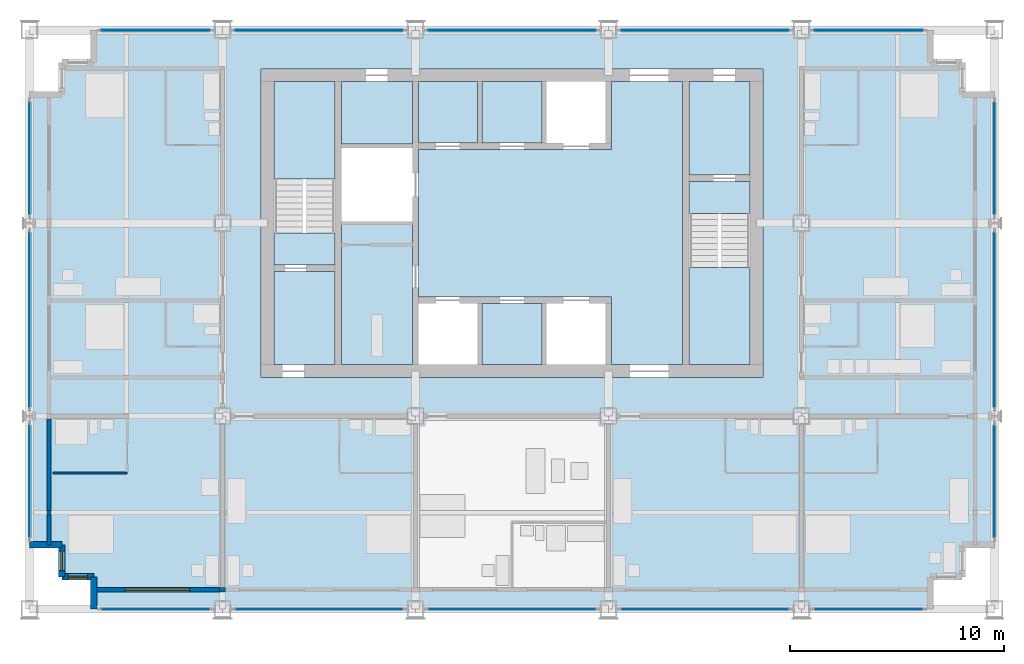
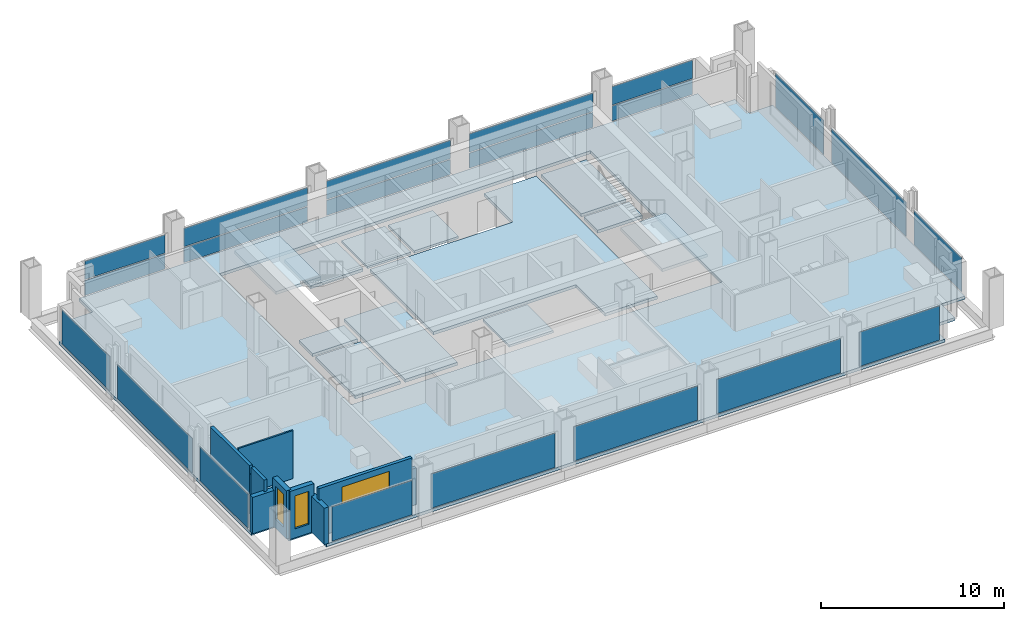
# One storey, part 6 of 13: 21 plates, 13 slabs, 10 walls, 3 windows, 3 openings, 18 elements without a shape of their own.
"""IFC4 building model written with IfcOpenShell, lengths in metres."""

from ifc_helpers import new_model, si_unit, direction, frame, frame_2d, origin, origin_2d, place, context, subcontext, project, spatial, polyline, rectangle, outline, extrude, material, layer, layer_set, type_object, element, fill, aggregate, save


model = new_model("IFC4")

# Units and contexts
model_context = context("Model", 3, precision=1e-05, world=origin(), true_north=direction((0.0, 1.0)))
body_context = subcontext(model_context, "Body", "Model", "MODEL_VIEW")
ifc_project = project(units=[si_unit("LENGTHUNIT", "METRE"), si_unit("AREAUNIT", "SQUARE_METRE"), si_unit("VOLUMEUNIT", "CUBIC_METRE"), si_unit("PLANEANGLEUNIT", "RADIAN"), si_unit("MASSUNIT", "GRAM", prefix="KILO")], contexts=[model_context])

# Site, building, storey
site_placement = place(None, origin())
site = spatial("IfcSite", under=ifc_project, at=site_placement, CompositionType="ELEMENT")
building_placement = place(site_placement, origin())
building = spatial("IfcBuilding", under=site, at=building_placement, Name="Loomwork Tower", CompositionType="ELEMENT")
storey_placement = place(building_placement, frame((0.0, 0.0, 177.39990234375)))
storey = spatial("IfcBuildingStorey", under=building, at=storey_placement, Name="L48", CompositionType="ELEMENT", Elevation=177.39990234375)

# Slabs
ifc_material_1 = material(Name="Concrete 5000 psi (34 MPa) on composite metal deck", Category="concrete")
ifc_layer_1 = layer(ifc_material_1, 0.199951171875)
ifc_layer_set_1 = layer_set([ifc_layer_1], Name="Floor slab 200")
slab_type_1 = type_object("IfcSlabType", Name="Floor slab 200", PredefinedType="FLOOR", material=ifc_layer_set_1)
slab_1_placement = place(storey_placement, frame((0.0, 0.0, -0.199951171875)))
element("IfcSlab", 1, at=slab_1_placement, inside=storey, type_object=slab_type_1, Name="Floor slab L48", PredefinedType="FLOOR", context=body_context, shape_type="SweptSolid", body=[
    extrude(outline(polyline([(3.0, 1.5), (1.5, 1.5), (1.5, 3.0), (0.0, 3.0), (0.0, 24.0), (1.5, 24.0), (1.5, 25.5), (3.0, 25.5), (3.0, 27.0), (42.0, 27.0), (42.0, 25.5), (43.5, 25.5), (43.5, 24.0), (45.0, 24.0), (45.0, 3.0), (43.5, 3.0), (43.5, 1.5), (42.0, 1.5), (42.0, 0.0), (3.0, 0.0), (3.0, 1.5)]), holes=[polyline([(10.800048828125, 11.39990234375), (10.800048828125, 11.39990234375), (10.800048828125, 10.800048828125), (34.199951171875, 10.800048828125), (34.199951171875, 11.39990234375), (34.199951171875, 11.39990234375), (34.199951171875, 24.60009765625), (34.199951171875, 25.199951171875), (10.800048828125, 25.199951171875), (10.800048828125, 24.60009765625), (10.800048828125, 11.39990234375)])]), origin(), (0.0, 0.0, 1.0), 0.199951171875),
])
slab_2_placement = place(storey_placement, frame((0.0, 0.0, -0.199951171875)))
element("IfcSlab", 2, at=slab_2_placement, inside=storey, type_object=slab_type_1, Name="Floor slab L48", PredefinedType="FLOOR", context=body_context, shape_type="SweptSolid", body=[
    extrude(outline(polyline([(30.449951171875, 24.60009765625), (30.449951171875, 11.39990234375), (27.14990234375, 11.39990234375), (27.14990234375, 14.25), (27.14990234375, 14.550048828125), (18.14990234375, 14.550048828125), (18.14990234375, 21.449951171875), (27.14990234375, 21.449951171875), (27.14990234375, 21.75), (27.14990234375, 24.60009765625), (30.449951171875, 24.60009765625)])), origin(), (0.0, 0.0, 1.0), 0.199951171875),
])
slab_3_placement = place(storey_placement, frame((0.0, 0.0, -0.199951171875)))
element("IfcSlab", 3, at=slab_3_placement, inside=storey, type_object=slab_type_1, Name="Floor slab L48", PredefinedType="FLOOR", context=body_context, shape_type="SweptSolid", body=[
    extrude(outline(polyline([(14.550048828125, 11.39990234375), (14.550048828125, 18.074951171875), (17.85009765625, 18.074951171875), (17.85009765625, 11.39990234375), (14.550048828125, 11.39990234375)])), origin(), (0.0, 0.0, 1.0), 0.199951171875),
])
slab_4_placement = place(storey_placement, frame((0.0, 0.0, -0.199951171875)))
element("IfcSlab", 4, at=slab_4_placement, inside=storey, type_object=slab_type_1, Name="Floor slab L48", PredefinedType="FLOOR", context=body_context, shape_type="SweptSolid", body=[
    extrude(outline(polyline([(33.60009765625, 20.25), (30.75, 20.25), (30.75, 24.60009765625), (33.60009765625, 24.60009765625), (33.60009765625, 20.25)])), origin(), (0.0, 0.0, 1.0), 0.199951171875),
])
slab_5_placement = place(storey_placement, frame((0.0, 0.0, -0.199951171875)))
element("IfcSlab", 5, at=slab_5_placement, inside=storey, type_object=slab_type_1, Name="Floor slab L48", PredefinedType="FLOOR", context=body_context, shape_type="SweptSolid", body=[
    extrude(outline(polyline([(14.25, 15.75), (14.25, 11.39990234375), (11.39990234375, 11.39990234375), (11.39990234375, 15.75), (14.25, 15.75)])), origin(), (0.0, 0.0, 1.0), 0.199951171875),
])
slab_6_placement = place(storey_placement, frame((0.0, 0.0, -0.199951171875)))
element("IfcSlab", 6, at=slab_6_placement, inside=storey, type_object=slab_type_1, Name="Floor slab L48", PredefinedType="FLOOR", context=body_context, shape_type="SweptSolid", body=[
    extrude(outline(polyline([(14.550048828125, 21.699951171875), (14.550048828125, 24.60009765625), (17.85009765625, 24.60009765625), (17.85009765625, 21.699951171875), (14.550048828125, 21.699951171875)])), origin(), (0.0, 0.0, 1.0), 0.199951171875),
])

# Curtain wall, plate
ifc_material_2 = material(Name="Aluminium curtain wall frame", Category="aluminium")
curtain_wall_type_1 = type_object("IfcCurtainWallType", Name="Outer skin glazing hotel", PredefinedType="NOTDEFINED", material=ifc_material_2)
curtain_wall_1_placement = place(storey_placement, origin())
curtain_wall_1 = element("IfcCurtainWall", 7, at=curtain_wall_1_placement, inside=storey, type_object=curtain_wall_type_1, Name="Outer skin glazing hotel cw/S-0", PredefinedType="NOTDEFINED")
ifc_material_3 = material(Name="Clear laminated glass", Category="glass")
ifc_layer_2 = layer(ifc_material_3, 0.02392578125)
ifc_layer_set_2 = layer_set([ifc_layer_2], Name="Outer skin glazing hotel panel")
plate_type_1 = type_object("IfcPlateType", Name="Outer skin glazing hotel panel", PredefinedType="CURTAIN_PANEL", material=ifc_layer_set_2)
plate_1_placement = place(storey_placement, frame((5.875, 0.0, 0.06494140625), z_axis=(0.0, 0.0, 1.0), x_axis=(1.0, 0.0, 0.0)))
plate_1 = element("IfcPlate", 8, at=plate_1_placement, type_object=plate_type_1, Name="CW1 panel 1.1", PredefinedType="CURTAIN_PANEL", context=body_context, shape_type="SweptSolid", body=[
    extrude(rectangle(XDim=5.050048828125, YDim=0.02392578125, at=origin_2d()), origin(), (0.0, 0.0, 1.0), 2.290283203125),
])
aggregate(curtain_wall_1, [plate_1])

curtain_wall_2_placement = place(storey_placement, origin())
curtain_wall_2 = element("IfcCurtainWall", 9, at=curtain_wall_2_placement, inside=storey, type_object=curtain_wall_type_1, Name="Outer skin glazing hotel cw/S-9", PredefinedType="NOTDEFINED")
plate_2_placement = place(storey_placement, frame((13.5, 0.0, 0.06494140625), z_axis=(0.0, 0.0, 1.0), x_axis=(1.0, 0.0, 0.0)))
plate_2 = element("IfcPlate", 10, at=plate_2_placement, type_object=plate_type_1, Name="CW1 panel 1.1", PredefinedType="CURTAIN_PANEL", context=body_context, shape_type="SweptSolid", body=[
    extrude(rectangle(XDim=7.800048828125, YDim=0.02392578125, at=origin_2d()), origin(), (0.0, 0.0, 1.0), 2.290283203125),
])
aggregate(curtain_wall_2, [plate_2])

curtain_wall_3_placement = place(storey_placement, origin())
curtain_wall_3 = element("IfcCurtainWall", 11, at=curtain_wall_3_placement, inside=storey, type_object=curtain_wall_type_1, Name="Outer skin glazing hotel cw/S-18", PredefinedType="NOTDEFINED")
plate_3_placement = place(storey_placement, frame((22.5, 0.0, 0.06494140625), z_axis=(0.0, 0.0, 1.0), x_axis=(1.0, 0.0, 0.0)))
plate_3 = element("IfcPlate", 12, at=plate_3_placement, type_object=plate_type_1, Name="CW1 panel 1.1", PredefinedType="CURTAIN_PANEL", context=body_context, shape_type="SweptSolid", body=[
    extrude(rectangle(XDim=7.800048828125, YDim=0.02392578125, at=origin_2d()), origin(), (0.0, 0.0, 1.0), 2.290283203125),
])
aggregate(curtain_wall_3, [plate_3])

curtain_wall_4_placement = place(storey_placement, origin())
curtain_wall_4 = element("IfcCurtainWall", 13, at=curtain_wall_4_placement, inside=storey, type_object=curtain_wall_type_1, Name="Outer skin glazing hotel cw/S-27", PredefinedType="NOTDEFINED")
plate_4_placement = place(storey_placement, frame((31.5, 0.0, 0.06494140625), z_axis=(0.0, 0.0, 1.0), x_axis=(1.0, 0.0, 0.0)))
plate_4 = element("IfcPlate", 14, at=plate_4_placement, type_object=plate_type_1, Name="CW1 panel 1.1", PredefinedType="CURTAIN_PANEL", context=body_context, shape_type="SweptSolid", body=[
    extrude(rectangle(XDim=7.800048828125, YDim=0.02392578125, at=origin_2d()), origin(), (0.0, 0.0, 1.0), 2.290283203125),
])
aggregate(curtain_wall_4, [plate_4])

curtain_wall_5_placement = place(storey_placement, origin())
curtain_wall_5 = element("IfcCurtainWall", 15, at=curtain_wall_5_placement, inside=storey, type_object=curtain_wall_type_1, Name="Outer skin glazing hotel cw/S-36", PredefinedType="NOTDEFINED")
plate_5_placement = place(storey_placement, frame((39.125, 0.0, 0.06494140625), z_axis=(0.0, 0.0, 1.0), x_axis=(1.0, 0.0, 0.0)))
plate_5 = element("IfcPlate", 16, at=plate_5_placement, type_object=plate_type_1, Name="CW1 panel 1.1", PredefinedType="CURTAIN_PANEL", context=body_context, shape_type="SweptSolid", body=[
    extrude(rectangle(XDim=5.050048828125, YDim=0.02392578125, at=origin_2d()), origin(), (0.0, 0.0, 1.0), 2.290283203125),
])
aggregate(curtain_wall_5, [plate_5])

curtain_wall_6_placement = place(storey_placement, origin())
curtain_wall_6 = element("IfcCurtainWall", 17, at=curtain_wall_6_placement, inside=storey, type_object=curtain_wall_type_1, Name="Outer skin glazing hotel cw/W-0", PredefinedType="NOTDEFINED")
plate_6_placement = place(storey_placement, frame((0.0, 5.962646484375, 0.06494140625), z_axis=(0.0, 0.0, 1.0), x_axis=(0.0, -1.0, 0.0)))
plate_6 = element("IfcPlate", 18, at=plate_6_placement, type_object=plate_type_1, Name="CW1 panel 1.1", PredefinedType="CURTAIN_PANEL", context=body_context, shape_type="SweptSolid", body=[
    extrude(rectangle(XDim=5.22509765625, YDim=0.02392578125, at=origin_2d()), origin(), (0.0, 0.0, 1.0), 2.290283203125),
])
aggregate(curtain_wall_6, [plate_6])

curtain_wall_7_placement = place(storey_placement, origin())
curtain_wall_7 = element("IfcCurtainWall", 19, at=curtain_wall_7_placement, inside=storey, type_object=curtain_wall_type_1, Name="Outer skin glazing hotel cw/W-9", PredefinedType="NOTDEFINED")
plate_7_placement = place(storey_placement, frame((0.0, 13.5, 0.06494140625), z_axis=(0.0, 0.0, 1.0), x_axis=(0.0, -1.0, 0.0)))
plate_7 = element("IfcPlate", 20, at=plate_7_placement, type_object=plate_type_1, Name="CW1 panel 1.1", PredefinedType="CURTAIN_PANEL", context=body_context, shape_type="SweptSolid", body=[
    extrude(rectangle(XDim=8.150390625, YDim=0.02392578125, at=origin_2d()), origin(), (0.0, 0.0, 1.0), 2.290283203125),
])
aggregate(curtain_wall_7, [plate_7])

curtain_wall_8_placement = place(storey_placement, origin())
curtain_wall_8 = element("IfcCurtainWall", 21, at=curtain_wall_8_placement, inside=storey, type_object=curtain_wall_type_1, Name="Outer skin glazing hotel cw/W-18", PredefinedType="NOTDEFINED")
plate_8_placement = place(storey_placement, frame((0.0, 21.037353515625, 0.06494140625), z_axis=(0.0, 0.0, 1.0), x_axis=(0.0, -1.0, 0.0)))
plate_8 = element("IfcPlate", 22, at=plate_8_placement, type_object=plate_type_1, Name="CW1 panel 1.1", PredefinedType="CURTAIN_PANEL", context=body_context, shape_type="SweptSolid", body=[
    extrude(rectangle(XDim=5.22509765625, YDim=0.02392578125, at=origin_2d()), origin(), (0.0, 0.0, 1.0), 2.290283203125),
])
aggregate(curtain_wall_8, [plate_8])

curtain_wall_9_placement = place(storey_placement, origin())
curtain_wall_9 = element("IfcCurtainWall", 23, at=curtain_wall_9_placement, inside=storey, type_object=curtain_wall_type_1, Name="Outer skin glazing hotel cw/E-0", PredefinedType="NOTDEFINED")
plate_9_placement = place(storey_placement, frame((45.0, 5.962646484375, 0.06494140625), z_axis=(0.0, 0.0, 1.0), x_axis=(0.0, 1.0, 0.0)))
plate_9 = element("IfcPlate", 24, at=plate_9_placement, type_object=plate_type_1, Name="CW1 panel 1.1", PredefinedType="CURTAIN_PANEL", context=body_context, shape_type="SweptSolid", body=[
    extrude(rectangle(XDim=5.22509765625, YDim=0.02392578125, at=origin_2d()), origin(), (0.0, 0.0, 1.0), 2.290283203125),
])
aggregate(curtain_wall_9, [plate_9])

curtain_wall_10_placement = place(storey_placement, origin())
curtain_wall_10 = element("IfcCurtainWall", 25, at=curtain_wall_10_placement, inside=storey, type_object=curtain_wall_type_1, Name="Outer skin glazing hotel cw/E-9", PredefinedType="NOTDEFINED")
plate_10_placement = place(storey_placement, frame((45.0, 13.5, 0.06494140625), z_axis=(0.0, 0.0, 1.0), x_axis=(0.0, 1.0, 0.0)))
plate_10 = element("IfcPlate", 26, at=plate_10_placement, type_object=plate_type_1, Name="CW1 panel 1.1", PredefinedType="CURTAIN_PANEL", context=body_context, shape_type="SweptSolid", body=[
    extrude(rectangle(XDim=8.150390625, YDim=0.02392578125, at=origin_2d()), origin(), (0.0, 0.0, 1.0), 2.290283203125),
])
aggregate(curtain_wall_10, [plate_10])

curtain_wall_11_placement = place(storey_placement, origin())
curtain_wall_11 = element("IfcCurtainWall", 27, at=curtain_wall_11_placement, inside=storey, type_object=curtain_wall_type_1, Name="Outer skin glazing hotel cw/E-18", PredefinedType="NOTDEFINED")
plate_11_placement = place(storey_placement, frame((45.0, 21.037353515625, 0.06494140625), z_axis=(0.0, 0.0, 1.0), x_axis=(0.0, 1.0, 0.0)))
plate_11 = element("IfcPlate", 28, at=plate_11_placement, type_object=plate_type_1, Name="CW1 panel 1.1", PredefinedType="CURTAIN_PANEL", context=body_context, shape_type="SweptSolid", body=[
    extrude(rectangle(XDim=5.22509765625, YDim=0.02392578125, at=origin_2d()), origin(), (0.0, 0.0, 1.0), 2.290283203125),
])
aggregate(curtain_wall_11, [plate_11])

# Slabs
ifc_material_4 = material(Name="Concrete 5000 psi (34 MPa) on composite metal deck", Category="concrete")
ifc_layer_3 = layer(ifc_material_4, 0.14990234375)
ifc_layer_set_3 = layer_set([ifc_layer_3], Name="Shaft infill floor 150")
slab_type_2 = type_object("IfcSlabType", Name="Shaft infill floor 150", PredefinedType="FLOOR", material=ifc_layer_set_3)
slab_7_placement = place(storey_placement, frame((0.0, 0.0, -0.14990234375)))
element("IfcSlab", 29, at=slab_7_placement, inside=storey, type_object=slab_type_2, Name="Shaft infill floor LS1 L48", PredefinedType="FLOOR", context=body_context, shape_type="SweptSolid", body=[
    extrude(outline(polyline([(18.14990234375, 21.75), (20.89990234375, 21.75), (20.89990234375, 24.60009765625), (18.14990234375, 24.60009765625), (18.14990234375, 21.75)])), origin(), (0.0, 0.0, 1.0), 0.14990234375),
])
slab_8_placement = place(storey_placement, frame((0.0, 0.0, -0.14990234375)))
element("IfcSlab", 30, at=slab_8_placement, inside=storey, type_object=slab_type_2, Name="Shaft infill floor LS2 L48", PredefinedType="FLOOR", context=body_context, shape_type="SweptSolid", body=[
    extrude(outline(polyline([(21.10009765625, 21.75), (23.89990234375, 21.75), (23.89990234375, 24.60009765625), (21.10009765625, 24.60009765625), (21.10009765625, 21.75)])), origin(), (0.0, 0.0, 1.0), 0.14990234375),
])
slab_9_placement = place(storey_placement, frame((0.0, 0.0, -0.14990234375)))
element("IfcSlab", 31, at=slab_9_placement, inside=storey, type_object=slab_type_2, Name="Shaft infill floor S2 L48", PredefinedType="FLOOR", context=body_context, shape_type="SweptSolid", body=[
    extrude(outline(polyline([(21.10009765625, 11.39990234375), (23.89990234375, 11.39990234375), (23.89990234375, 14.25), (21.10009765625, 14.25), (21.10009765625, 11.39990234375)])), origin(), (0.0, 0.0, 1.0), 0.14990234375),
])

# Curtain wall, plates
ifc_material_5 = material(Name="Aluminium curtain wall frame", Category="aluminium")
curtain_wall_type_2 = type_object("IfcCurtainWallType", Name="Single skin glazing corridor", PredefinedType="NOTDEFINED", material=ifc_material_5)
curtain_wall_12_placement = place(storey_placement, origin())
curtain_wall_12 = element("IfcCurtainWall", 32, at=curtain_wall_12_placement, inside=storey, type_object=curtain_wall_type_2, Name="Single skin glazing corridor cw/N-0", PredefinedType="NOTDEFINED")
ifc_material_6 = material(Name="Clear insulated glass", Category="glass")
ifc_layer_4 = layer(ifc_material_6, 0.031982421875)
ifc_layer_set_4 = layer_set([ifc_layer_4], Name="Single skin glazing corridor panel")
plate_type_2 = type_object("IfcPlateType", Name="Single skin glazing corridor panel", PredefinedType="CURTAIN_PANEL", material=ifc_layer_set_4)
plate_12_placement = place(storey_placement, frame((5.875, 27.0, 0.065185546875), z_axis=(0.0, 0.0, 1.0), x_axis=(-1.0, 0.0, 0.0)))
plate_12 = element("IfcPlate", 33, at=plate_12_placement, type_object=plate_type_2, Name="CW3 panel 1.1", PredefinedType="CURTAIN_PANEL", context=body_context, shape_type="SweptSolid", body=[
    extrude(rectangle(XDim=5.050048828125, YDim=0.031982421875, at=origin_2d()), origin(), (0.0, 0.0, 1.0), 1.00244140625),
])
plate_13_placement = place(storey_placement, frame((5.875, 27.0, 1.132568359375), z_axis=(0.0, 0.0, 1.0), x_axis=(-1.0, 0.0, 0.0)))
plate_13 = element("IfcPlate", 34, at=plate_13_placement, type_object=plate_type_2, Name="CW3 panel 1.2", PredefinedType="CURTAIN_PANEL", context=body_context, shape_type="SweptSolid", body=[
    extrude(rectangle(XDim=5.050048828125, YDim=0.031982421875, at=origin_2d()), origin(), (0.0, 0.0, 1.0), 1.22265625),
])
aggregate(curtain_wall_12, [plate_12, plate_13])

curtain_wall_13_placement = place(storey_placement, origin())
curtain_wall_13 = element("IfcCurtainWall", 35, at=curtain_wall_13_placement, inside=storey, type_object=curtain_wall_type_2, Name="Single skin glazing corridor cw/N-9", PredefinedType="NOTDEFINED")
plate_14_placement = place(storey_placement, frame((13.5, 27.0, 0.065185546875), z_axis=(0.0, 0.0, 1.0), x_axis=(-1.0, 0.0, 0.0)))
plate_14 = element("IfcPlate", 36, at=plate_14_placement, type_object=plate_type_2, Name="CW3 panel 1.1", PredefinedType="CURTAIN_PANEL", context=body_context, shape_type="SweptSolid", body=[
    extrude(rectangle(XDim=7.800048828125, YDim=0.031982421875, at=origin_2d()), origin(), (0.0, 0.0, 1.0), 1.00244140625),
])
plate_15_placement = place(storey_placement, frame((13.5, 27.0, 1.132568359375), z_axis=(0.0, 0.0, 1.0), x_axis=(-1.0, 0.0, 0.0)))
plate_15 = element("IfcPlate", 37, at=plate_15_placement, type_object=plate_type_2, Name="CW3 panel 1.2", PredefinedType="CURTAIN_PANEL", context=body_context, shape_type="SweptSolid", body=[
    extrude(rectangle(XDim=7.800048828125, YDim=0.031982421875, at=origin_2d()), origin(), (0.0, 0.0, 1.0), 1.22265625),
])
aggregate(curtain_wall_13, [plate_14, plate_15])

curtain_wall_14_placement = place(storey_placement, origin())
curtain_wall_14 = element("IfcCurtainWall", 38, at=curtain_wall_14_placement, inside=storey, type_object=curtain_wall_type_2, Name="Single skin glazing corridor cw/N-18", PredefinedType="NOTDEFINED")
plate_16_placement = place(storey_placement, frame((22.5, 27.0, 0.065185546875), z_axis=(0.0, 0.0, 1.0), x_axis=(-1.0, 0.0, 0.0)))
plate_16 = element("IfcPlate", 39, at=plate_16_placement, type_object=plate_type_2, Name="CW3 panel 1.1", PredefinedType="CURTAIN_PANEL", context=body_context, shape_type="SweptSolid", body=[
    extrude(rectangle(XDim=7.800048828125, YDim=0.031982421875, at=origin_2d()), origin(), (0.0, 0.0, 1.0), 1.00244140625),
])
plate_17_placement = place(storey_placement, frame((22.5, 27.0, 1.132568359375), z_axis=(0.0, 0.0, 1.0), x_axis=(-1.0, 0.0, 0.0)))
plate_17 = element("IfcPlate", 40, at=plate_17_placement, type_object=plate_type_2, Name="CW3 panel 1.2", PredefinedType="CURTAIN_PANEL", context=body_context, shape_type="SweptSolid", body=[
    extrude(rectangle(XDim=7.800048828125, YDim=0.031982421875, at=origin_2d()), origin(), (0.0, 0.0, 1.0), 1.22265625),
])
aggregate(curtain_wall_14, [plate_16, plate_17])

curtain_wall_15_placement = place(storey_placement, origin())
curtain_wall_15 = element("IfcCurtainWall", 41, at=curtain_wall_15_placement, inside=storey, type_object=curtain_wall_type_2, Name="Single skin glazing corridor cw/N-27", PredefinedType="NOTDEFINED")
plate_18_placement = place(storey_placement, frame((31.5, 27.0, 0.065185546875), z_axis=(0.0, 0.0, 1.0), x_axis=(-1.0, 0.0, 0.0)))
plate_18 = element("IfcPlate", 42, at=plate_18_placement, type_object=plate_type_2, Name="CW3 panel 1.1", PredefinedType="CURTAIN_PANEL", context=body_context, shape_type="SweptSolid", body=[
    extrude(rectangle(XDim=7.800048828125, YDim=0.031982421875, at=origin_2d()), origin(), (0.0, 0.0, 1.0), 1.00244140625),
])
plate_19_placement = place(storey_placement, frame((31.5, 27.0, 1.132568359375), z_axis=(0.0, 0.0, 1.0), x_axis=(-1.0, 0.0, 0.0)))
plate_19 = element("IfcPlate", 43, at=plate_19_placement, type_object=plate_type_2, Name="CW3 panel 1.2", PredefinedType="CURTAIN_PANEL", context=body_context, shape_type="SweptSolid", body=[
    extrude(rectangle(XDim=7.800048828125, YDim=0.031982421875, at=origin_2d()), origin(), (0.0, 0.0, 1.0), 1.22265625),
])
aggregate(curtain_wall_15, [plate_18, plate_19])

curtain_wall_16_placement = place(storey_placement, origin())
curtain_wall_16 = element("IfcCurtainWall", 44, at=curtain_wall_16_placement, inside=storey, type_object=curtain_wall_type_2, Name="Single skin glazing corridor cw/N-36", PredefinedType="NOTDEFINED")
plate_20_placement = place(storey_placement, frame((39.125, 27.0, 0.065185546875), z_axis=(0.0, 0.0, 1.0), x_axis=(-1.0, 0.0, 0.0)))
plate_20 = element("IfcPlate", 45, at=plate_20_placement, type_object=plate_type_2, Name="CW3 panel 1.1", PredefinedType="CURTAIN_PANEL", context=body_context, shape_type="SweptSolid", body=[
    extrude(rectangle(XDim=5.050048828125, YDim=0.031982421875, at=origin_2d()), origin(), (0.0, 0.0, 1.0), 1.00244140625),
])
plate_21_placement = place(storey_placement, frame((39.125, 27.0, 1.132568359375), z_axis=(0.0, 0.0, 1.0), x_axis=(-1.0, 0.0, 0.0)))
plate_21 = element("IfcPlate", 46, at=plate_21_placement, type_object=plate_type_2, Name="CW3 panel 1.2", PredefinedType="CURTAIN_PANEL", context=body_context, shape_type="SweptSolid", body=[
    extrude(rectangle(XDim=5.050048828125, YDim=0.031982421875, at=origin_2d()), origin(), (0.0, 0.0, 1.0), 1.22265625),
])
aggregate(curtain_wall_16, [plate_20, plate_21])

# Stair, slabs
ifc_material_7 = material(Name="Concrete 5000 psi (34 MPa) precast stair", Category="concrete")
stair_type_1 = type_object("IfcStairType", Name="Stair ST-A 20 risers 2850 wide", PredefinedType="HALF_TURN_STAIR", material=ifc_material_7)
stair_1_placement = place(storey_placement, origin())
stair_1 = element("IfcStair", 47, at=stair_1_placement, inside=storey, type_object=stair_type_1, Name="Stair A L48", PredefinedType="HALF_TURN_STAIR")
ifc_material_8 = material(Name="Concrete 5000 psi (34 MPa)", Category="concrete")
ifc_layer_5 = layer(ifc_material_8, 0.199951171875)
ifc_layer_set_5 = layer_set([ifc_layer_5], Name="Stair landing 200")
slab_type_3 = type_object("IfcSlabType", Name="Stair landing 200", PredefinedType="LANDING", material=ifc_layer_set_5)
slab_10_placement = place(storey_placement, frame((0.0, 0.0, -0.199951171875)))
slab_10 = element("IfcSlab", 48, at=slab_10_placement, type_object=slab_type_3, Name="ST-A landing 1", PredefinedType="LANDING", context=body_context, shape_type="SweptSolid", body=[
    extrude(outline(polyline([(11.39990234375, 16.050048828125), (14.25, 16.050048828125), (14.25, 17.550048828125), (11.39990234375, 17.550048828125), (11.39990234375, 16.050048828125)])), origin(), (0.0, 0.0, 1.0), 0.199951171875),
])
slab_11_placement = place(storey_placement, frame((0.0, 0.0, 1.5)))
slab_11 = element("IfcSlab", 49, at=slab_11_placement, type_object=slab_type_3, Name="ST-A landing 2", PredefinedType="LANDING", context=body_context, shape_type="SweptSolid", body=[
    extrude(outline(polyline([(11.39990234375, 20.070068359375), (14.25, 20.070068359375), (14.25, 24.60009765625), (11.39990234375, 24.60009765625), (11.39990234375, 20.070068359375)])), origin(), (0.0, 0.0, 1.0), 0.2001953125),
])
aggregate(stair_1, [slab_10, slab_11])

ifc_material_9 = material(Name="Concrete 5000 psi (34 MPa) precast stair", Category="concrete")
stair_type_2 = type_object("IfcStairType", Name="Stair ST-B 20 risers 2850 wide", PredefinedType="HALF_TURN_STAIR", material=ifc_material_9)
stair_2_placement = place(storey_placement, origin())
stair_2 = element("IfcStair", 50, at=stair_2_placement, inside=storey, type_object=stair_type_2, Name="Stair B L48", PredefinedType="HALF_TURN_STAIR")
slab_12_placement = place(storey_placement, frame((0.0, 0.0, -0.199951171875)))
slab_12 = element("IfcSlab", 51, at=slab_12_placement, type_object=slab_type_3, Name="ST-B landing 1", PredefinedType="LANDING", context=body_context, shape_type="SweptSolid", body=[
    extrude(outline(polyline([(30.75, 18.449951171875), (33.60009765625, 18.449951171875), (33.60009765625, 19.949951171875), (30.75, 19.949951171875), (30.75, 18.449951171875)])), origin(), (0.0, 0.0, 1.0), 0.199951171875),
])
slab_13_placement = place(storey_placement, frame((0.0, 0.0, 1.5)))
slab_13 = element("IfcSlab", 52, at=slab_13_placement, type_object=slab_type_3, Name="ST-B landing 2", PredefinedType="LANDING", context=body_context, shape_type="SweptSolid", body=[
    extrude(outline(polyline([(30.75, 11.39990234375), (33.60009765625, 11.39990234375), (33.60009765625, 15.929931640625), (30.75, 15.929931640625), (30.75, 11.39990234375)])), origin(), (0.0, 0.0, 1.0), 0.2001953125),
])
aggregate(stair_2, [slab_12, slab_13])

# Wall
ifc_material_10 = material(Name="Cement board on steel studs", Category="steel")
ifc_layer_6 = layer(ifc_material_10, 0.10009765625)
ifc_layer_set_6 = layer_set([ifc_layer_6], Name="En-suite partition 100")
wall_type_1 = type_object("IfcWallType", Name="En-suite partition 100", PredefinedType="PARTITIONING", material=ifc_layer_set_6)
wall_1_placement = place(storey_placement, frame((1.10009765625, 6.35009765625, 0.0), z_axis=(0.0, 0.0, 1.0), x_axis=(1.0, 0.0, 0.0)))
element("IfcWall", 53, at=wall_1_placement, inside=storey, type_object=wall_type_1, Name="En-suite wall L48 room 1", PredefinedType="PARTITIONING", context=body_context, shape_type="SweptSolid", body=[
    extrude(rectangle(XDim=3.449951171875, YDim=0.10009765625, at=frame_2d((1.72509765625, 0.0))), origin(), (0.0, 0.0, 1.0), 3.2001953125),
])

# Wall, opening, window
ifc_material_11 = material(Name="Insulated steel stud wall with gypsum lining", Category="steel")
ifc_layer_7 = layer(ifc_material_11, 0.199951171875)
ifc_layer_set_7 = layer_set([ifc_layer_7], Name="Inner skin wall 200")
wall_type_2 = type_object("IfcWallType", Name="Inner skin wall 200", PredefinedType="SOLIDWALL", material=ifc_layer_set_7)
wall_2_placement = place(storey_placement, frame((3.0, 0.89990234375, 0.0), z_axis=(0.0, 0.0, 1.0), x_axis=(1.0, 0.0, 0.0)))
wall_2 = element("IfcWall", 54, at=wall_2_placement, inside=storey, type_object=wall_type_2, Name="Inner skin wall S", PredefinedType="SOLIDWALL", context=body_context, shape_type="SweptSolid", body=[
    extrude(rectangle(XDim=5.86474609375, YDim=0.199951171875, at=frame_2d((2.932373046875, 0.0))), origin(), (0.0, 0.0, 1.0), 3.2001953125),
])
opening_1_placement = place(wall_2_placement, frame((1.449951171875, 0.0, 0.60009765625)))
opening_1 = element("IfcOpeningElement", 55, at=opening_1_placement, cuts=wall_2, Name="Opening CH1", PredefinedType="OPENING", context=body_context, shape_type="SweptSolid", body=[
    extrude(rectangle(XDim=3.0, YDim=2.199951171875, at=frame_2d((1.5, 1.10009765625))), frame((0.0, 0.10986328125, 0.0), z_axis=(0.0, -1.0, 0.0), x_axis=(1.0, 0.0, 0.0)), (0.0, 0.0, 1.0), 0.219970703125),
])
ifc_material_12 = material(Name="Aluminium frame with clear insulated glass", Category="aluminium")
window_type_1 = type_object("IfcWindowType", Name="Chicago window 3000", PartitioningType="TRIPLE_PANEL_VERTICAL", PredefinedType="WINDOW", material=ifc_material_12)
window_1_placement = place(opening_1_placement, origin())
window_1 = element("IfcWindow", 56, at=window_1_placement, inside=storey, type_object=window_type_1, Name="Chicago window L48 bay 1", OverallHeight=2.199951171875, OverallWidth=3.0, PartitioningType="TRIPLE_PANEL_VERTICAL", PredefinedType="WINDOW", context=body_context, shape_type="SweptSolid", body=[
    extrude(rectangle(XDim=3.0, YDim=2.199951171875, at=frame_2d((1.5, 1.10009765625))), frame((0.0, 0.030029296875, 0.0), z_axis=(0.0, -1.0, 0.0), x_axis=(1.0, 0.0, 0.0)), (0.0, 0.0, 1.0), 0.06005859375),
])
fill(opening_1, window_1)

# Walls
wall_3_placement = place(storey_placement, frame((0.89990234375, 3.0, 0.0), z_axis=(0.0, 0.0, 1.0), x_axis=(0.0, 1.0, 0.0)))
element("IfcWall", 57, at=wall_3_placement, inside=storey, type_object=wall_type_2, Name="Inner skin wall W", PredefinedType="SOLIDWALL", context=body_context, shape_type="SweptSolid", body=[
    extrude(rectangle(XDim=1.392578125, YDim=0.199951171875, at=frame_2d((0.6962890625, 0.0))), origin(), (0.0, 0.0, 1.0), 3.2001953125),
])
wall_4_placement = place(storey_placement, frame((8.86474609375, 0.89990234375, 0.0), z_axis=(0.0, 0.0, 1.0), x_axis=(1.0, 0.0, 0.0)))
element("IfcWall", 58, at=wall_4_placement, inside=storey, type_object=wall_type_2, Name="Inner skin wall S bay 2", PredefinedType="SOLIDWALL", context=body_context, shape_type="SweptSolid", body=[
    extrude(rectangle(XDim=0.2705078125, YDim=0.199951171875, at=frame_2d((0.13525390625, 0.0))), origin(), (0.0, 0.0, 1.0), 2.43798828125),
])
wall_5_placement = place(storey_placement, frame((0.89990234375, 4.392578125, 0.0), z_axis=(0.0, 0.0, 1.0), x_axis=(0.0, 1.0, 0.0)))
element("IfcWall", 59, at=wall_5_placement, inside=storey, type_object=wall_type_2, Name="Inner skin wall W bay 2", PredefinedType="SOLIDWALL", context=body_context, shape_type="SweptSolid", body=[
    extrude(rectangle(XDim=0.21484375, YDim=0.199951171875, at=frame_2d((0.107421875, 0.0))), origin(), (0.0, 0.0, 1.0), 2.6611328125),
])
wall_6_placement = place(storey_placement, frame((0.89990234375, 4.607421875, 0.0), z_axis=(0.0, 0.0, 1.0), x_axis=(0.0, 1.0, 0.0)))
element("IfcWall", 60, at=wall_6_placement, inside=storey, type_object=wall_type_2, Name="Inner skin wall W bay 3", PredefinedType="SOLIDWALL", context=body_context, shape_type="SweptSolid", body=[
    extrude(rectangle(XDim=4.25732421875, YDim=0.199951171875, at=frame_2d((2.128662109375, 0.0))), origin(), (0.0, 0.0, 1.0), 3.2001953125),
])
ifc_material_13 = material(Name="Limestone on concrete masonry", Category="masonry")
ifc_layer_8 = layer(ifc_material_13, 0.300048828125)
ifc_layer_set_8 = layer_set([ifc_layer_8], Name="Limestone corner wall 300")
wall_type_3 = type_object("IfcWallType", Name="Limestone corner wall 300", PredefinedType="SOLIDWALL", material=ifc_layer_set_8)
wall_7_placement = place(storey_placement, frame((0.0, 3.0, 0.0), z_axis=(0.0, 0.0, 1.0), x_axis=(1.0, 0.0, 0.0)))
element("IfcWall", 61, at=wall_7_placement, inside=storey, type_object=wall_type_3, Name="Stone corner wall SW 1", PredefinedType="SOLIDWALL", context=body_context, shape_type="SweptSolid", body=[
    extrude(rectangle(XDim=1.5, YDim=0.300048828125, at=frame_2d((0.75, 0.0))), origin(), (0.0, 0.0, 1.0), 2.420166015625),
])

# Wall, opening, window
wall_8_placement = place(storey_placement, frame((1.5, 3.0, 0.0), z_axis=(0.0, 0.0, 1.0), x_axis=(0.0, -1.0, 0.0)))
wall_8 = element("IfcWall", 62, at=wall_8_placement, inside=storey, type_object=wall_type_3, Name="Stone corner wall SW 2", PredefinedType="SOLIDWALL", context=body_context, shape_type="SweptSolid", body=[
    extrude(rectangle(XDim=1.5, YDim=0.300048828125, at=frame_2d((0.75, 0.0))), origin(), (0.0, 0.0, 1.0), 3.2001953125),
])
opening_2_placement = place(wall_8_placement, frame((0.300048828125, 0.0, 0.60009765625)))
opening_2 = element("IfcOpeningElement", 63, at=opening_2_placement, cuts=wall_8, Name="Opening CH2", PredefinedType="OPENING", context=body_context, shape_type="SweptSolid", body=[
    extrude(rectangle(XDim=0.89990234375, YDim=2.199951171875, at=frame_2d((0.449951171875, 1.10009765625))), frame((0.0, 0.159912109375, 0.0), z_axis=(0.0, -1.0, 0.0), x_axis=(1.0, 0.0, 0.0)), (0.0, 0.0, 1.0), 0.320068359375),
])
ifc_material_14 = material(Name="Aluminium frame with clear insulated glass", Category="aluminium")
window_type_2 = type_object("IfcWindowType", Name="Corner window 900", PartitioningType="SINGLE_PANEL", PredefinedType="WINDOW", material=ifc_material_14)
window_2_placement = place(opening_2_placement, origin())
window_2 = element("IfcWindow", 64, at=window_2_placement, inside=storey, type_object=window_type_2, Name="Corner window SW", OverallHeight=2.199951171875, OverallWidth=0.89990234375, PartitioningType="SINGLE_PANEL", PredefinedType="WINDOW", context=body_context, shape_type="SweptSolid", body=[
    extrude(rectangle(XDim=0.89990234375, YDim=2.199951171875, at=frame_2d((0.449951171875, 1.10009765625))), frame((0.0, 0.030029296875, 0.0), z_axis=(0.0, -1.0, 0.0), x_axis=(1.0, 0.0, 0.0)), (0.0, 0.0, 1.0), 0.06005859375),
])
fill(opening_2, window_2)

wall_9_placement = place(storey_placement, frame((1.5, 1.5, 0.0), z_axis=(0.0, 0.0, 1.0), x_axis=(1.0, 0.0, 0.0)))
wall_9 = element("IfcWall", 65, at=wall_9_placement, inside=storey, type_object=wall_type_3, Name="Stone corner wall SW 3", PredefinedType="SOLIDWALL", context=body_context, shape_type="SweptSolid", body=[
    extrude(rectangle(XDim=1.5, YDim=0.300048828125, at=frame_2d((0.75, 0.0))), origin(), (0.0, 0.0, 1.0), 3.2001953125),
])
opening_3_placement = place(wall_9_placement, frame((0.300048828125, 0.0, 0.60009765625)))
opening_3 = element("IfcOpeningElement", 66, at=opening_3_placement, cuts=wall_9, Name="Opening CH2", PredefinedType="OPENING", context=body_context, shape_type="SweptSolid", body=[
    extrude(rectangle(XDim=0.89990234375, YDim=2.199951171875, at=frame_2d((0.449951171875, 1.10009765625))), frame((0.0, 0.159912109375, 0.0), z_axis=(0.0, -1.0, 0.0), x_axis=(1.0, 0.0, 0.0)), (0.0, 0.0, 1.0), 0.320068359375),
])
window_3_placement = place(opening_3_placement, origin())
window_3 = element("IfcWindow", 67, at=window_3_placement, inside=storey, type_object=window_type_2, Name="Corner window SW", OverallHeight=2.199951171875, OverallWidth=0.89990234375, PartitioningType="SINGLE_PANEL", PredefinedType="WINDOW", context=body_context, shape_type="SweptSolid", body=[
    extrude(rectangle(XDim=0.89990234375, YDim=2.199951171875, at=frame_2d((0.449951171875, 1.10009765625))), frame((0.0, 0.030029296875, 0.0), z_axis=(0.0, -1.0, 0.0), x_axis=(1.0, 0.0, 0.0)), (0.0, 0.0, 1.0), 0.06005859375),
])
fill(opening_3, window_3)

# Wall
wall_10_placement = place(storey_placement, frame((3.0, 1.5, 0.0), z_axis=(0.0, 0.0, 1.0), x_axis=(0.0, -1.0, 0.0)))
element("IfcWall", 68, at=wall_10_placement, inside=storey, type_object=wall_type_3, Name="Stone corner wall SW 4", PredefinedType="SOLIDWALL", context=body_context, shape_type="SweptSolid", body=[
    extrude(rectangle(XDim=1.5, YDim=0.300048828125, at=frame_2d((0.75, 0.0))), origin(), (0.0, 0.0, 1.0), 2.420166015625),
])

save(model, "model.ifc")
